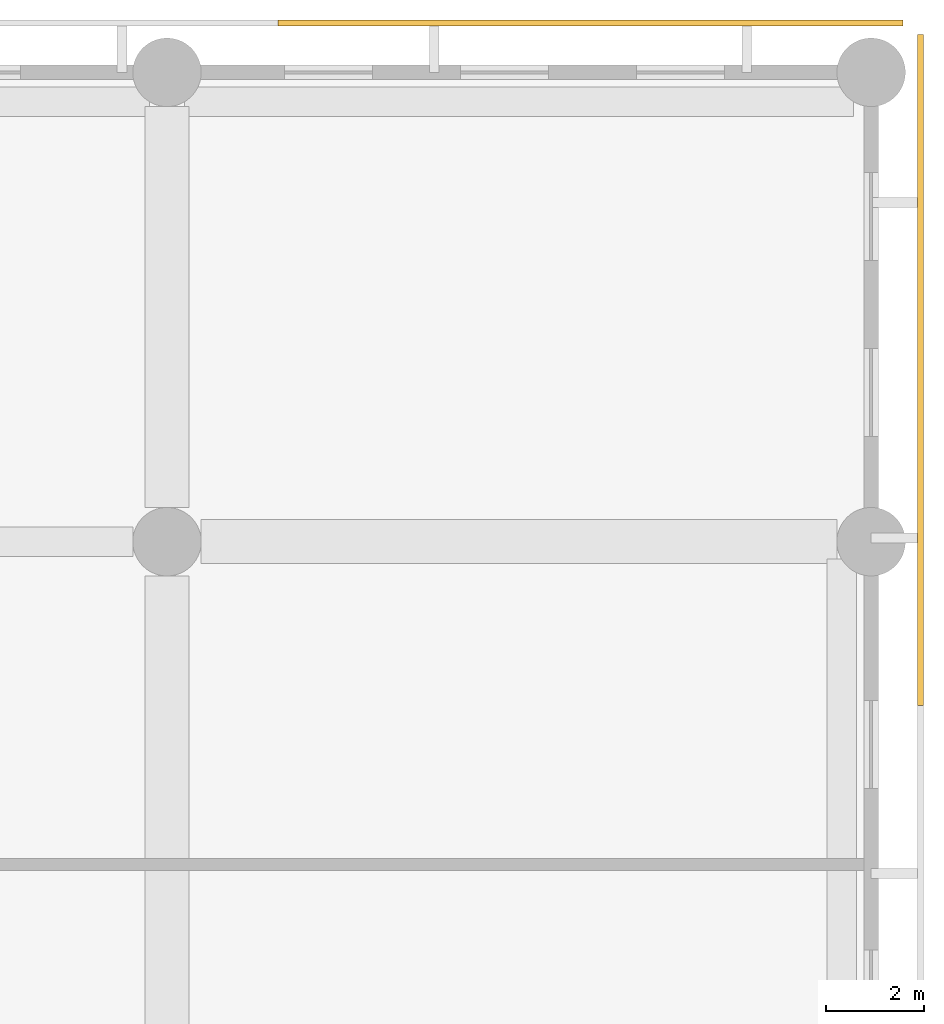
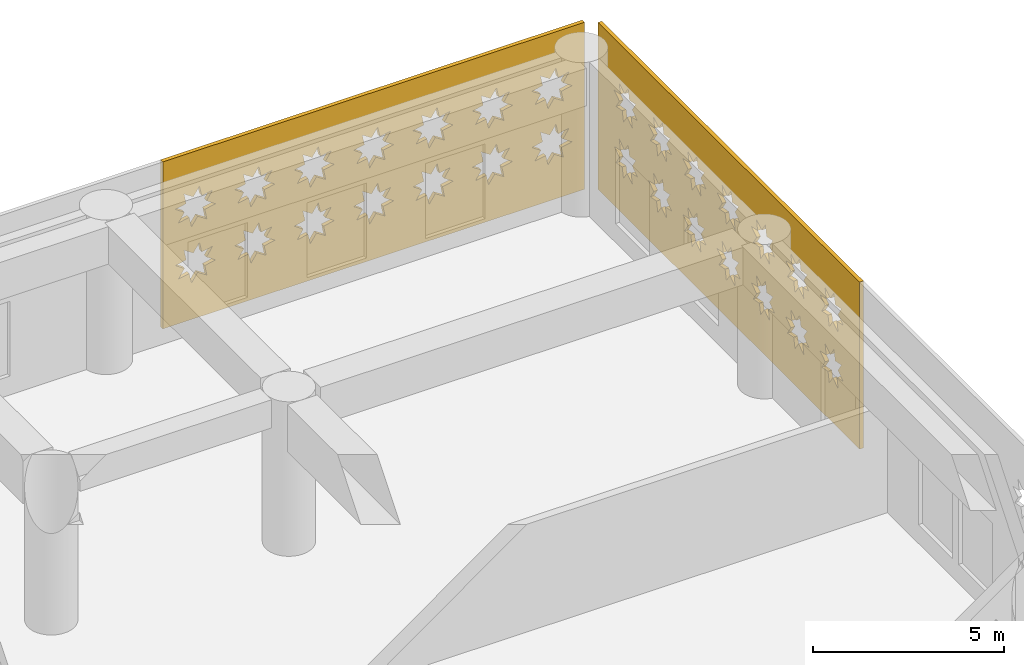
# One storey, part 24 of 24: 2 coverings.
"""IFC4 building model written with IfcOpenShell, lengths in metres."""

from ifc_helpers import new_model, si_unit, direction, frame, origin, place, context, subcontext, project, spatial, polyline, outline, extrude, material, layer, layer_set, type_object, element, save


model = new_model("IFC4")

# Units and contexts
model_context = context("Model", 3, precision=1e-05, world=origin(), true_north=direction((0.0, 1.0)))
body_context = subcontext(model_context, "Body", "Model", "MODEL_VIEW")
ifc_project = project(units=[si_unit("LENGTHUNIT", "METRE"), si_unit("AREAUNIT", "SQUARE_METRE"), si_unit("VOLUMEUNIT", "CUBIC_METRE"), si_unit("PLANEANGLEUNIT", "RADIAN"), si_unit("MASSUNIT", "GRAM", prefix="KILO")], contexts=[model_context])

# Site, building, storey
site_placement = place(None, origin())
site = spatial("IfcSite", under=ifc_project, at=site_placement, CompositionType="ELEMENT")
building_placement = place(site_placement, origin())
building = spatial("IfcBuilding", under=site, at=building_placement, Name="Saffron Iwan Residences", CompositionType="ELEMENT")
storey_placement = place(building_placement, frame((0.0, 0.0, 21.60009765625)))
storey = spatial("IfcBuildingStorey", under=building, at=storey_placement, Name="L04", CompositionType="ELEMENT", Elevation=21.60009765625)

# Coverings
ifc_material = material(Name="Terracotta screen, precast concrete C40/50", Category="masonry")
ifc_layer = layer(ifc_material, 0.1201171875)
ifc_layer_set = layer_set([ifc_layer], Name="Terracotta screen, precast concrete C40/50")
covering_type = type_object("IfcCoveringType", Name="PODIUM SCREEN GIRIH", PredefinedType="CLADDING", material=ifc_layer_set)
covering_1_placement = place(storey_placement, frame((101.75, 73.446044921875, -0.400146484375), z_axis=(1.0, 0.0, 0.0), x_axis=(0.0, 1.0, 0.0)))
element("IfcCovering", 1, at=covering_1_placement, inside=storey, type_object=covering_type, Name="SCREEN girih terracotta L04 F1.4", PredefinedType="CLADDING", context=body_context, shape_type="SweptSolid", body=[
    extrude(outline(polyline([(0.0, 0.0), (13.72412109375, 0.0), (13.72412109375, 5.35009765625), (0.0, 5.35009765625), (0.0, 0.0)]), holes=[polyline([(2.070068359375, 1.89599609375), (1.74462890625, 1.9638671875), (1.806396484375, 2.29052734375), (1.5283203125, 2.1083984375), (1.341064453125, 2.383056640625), (1.273193359375, 2.0576171875), (0.946533203125, 2.119384765625), (1.12841796875, 1.84130859375), (0.85400390625, 1.654052734375), (1.17919921875, 1.586181640625), (1.117431640625, 1.259521484375), (1.395751953125, 1.44140625), (1.5830078125, 1.1669921875), (1.65087890625, 1.4921875), (1.9775390625, 1.430419921875), (1.79541015625, 1.708740234375), (2.070068359375, 1.89599609375)]), polyline([(2.070068359375, 3.696044921875), (1.74462890625, 3.763916015625), (1.806396484375, 4.090576171875), (1.5283203125, 3.908447265625), (1.341064453125, 4.18310546875), (1.273193359375, 3.857666015625), (0.946533203125, 3.91943359375), (1.12841796875, 3.641357421875), (0.85400390625, 3.4541015625), (1.17919921875, 3.385986328125), (1.117431640625, 3.0595703125), (1.395751953125, 3.241455078125), (1.5830078125, 2.966796875), (1.65087890625, 3.292236328125), (1.9775390625, 3.23046875), (1.79541015625, 3.5087890625), (2.070068359375, 3.696044921875)]), polyline([(3.8701171875, 1.89599609375), (3.544677734375, 1.9638671875), (3.6064453125, 2.29052734375), (3.328369140625, 2.1083984375), (3.14111328125, 2.383056640625), (3.072998046875, 2.0576171875), (2.74658203125, 2.119384765625), (2.928466796875, 1.84130859375), (2.65380859375, 1.654052734375), (2.979248046875, 1.586181640625), (2.91748046875, 1.259521484375), (3.19580078125, 1.44140625), (3.383056640625, 1.1669921875), (3.450927734375, 1.4921875), (3.777587890625, 1.430419921875), (3.595458984375, 1.708740234375), (3.8701171875, 1.89599609375)]), polyline([(3.8701171875, 3.696044921875), (3.544677734375, 3.763916015625), (3.6064453125, 4.090576171875), (3.328369140625, 3.908447265625), (3.14111328125, 4.18310546875), (3.072998046875, 3.857666015625), (2.74658203125, 3.91943359375), (2.928466796875, 3.641357421875), (2.65380859375, 3.4541015625), (2.979248046875, 3.385986328125), (2.91748046875, 3.0595703125), (3.19580078125, 3.241455078125), (3.383056640625, 2.966796875), (3.450927734375, 3.292236328125), (3.777587890625, 3.23046875), (3.595458984375, 3.5087890625), (3.8701171875, 3.696044921875)]), polyline([(5.670166015625, 1.89599609375), (5.3447265625, 1.9638671875), (5.406494140625, 2.29052734375), (5.12841796875, 2.1083984375), (4.94091796875, 2.383056640625), (4.873046875, 2.0576171875), (4.54638671875, 2.119384765625), (4.728515625, 1.84130859375), (4.453857421875, 1.654052734375), (4.779296875, 1.586181640625), (4.717529296875, 1.259521484375), (4.99560546875, 1.44140625), (5.18310546875, 1.1669921875), (5.2509765625, 1.4921875), (5.577392578125, 1.430419921875), (5.3955078125, 1.708740234375), (5.670166015625, 1.89599609375)]), polyline([(5.670166015625, 3.696044921875), (5.3447265625, 3.763916015625), (5.406494140625, 4.090576171875), (5.12841796875, 3.908447265625), (4.94091796875, 4.18310546875), (4.873046875, 3.857666015625), (4.54638671875, 3.91943359375), (4.728515625, 3.641357421875), (4.453857421875, 3.4541015625), (4.779296875, 3.385986328125), (4.717529296875, 3.0595703125), (4.99560546875, 3.241455078125), (5.18310546875, 2.966796875), (5.2509765625, 3.292236328125), (5.577392578125, 3.23046875), (5.3955078125, 3.5087890625), (5.670166015625, 3.696044921875)]), polyline([(7.47021484375, 1.89599609375), (7.144775390625, 1.9638671875), (7.20654296875, 2.29052734375), (6.92822265625, 2.1083984375), (6.740966796875, 2.383056640625), (6.673095703125, 2.0576171875), (6.346435546875, 2.119384765625), (6.528564453125, 1.84130859375), (6.25390625, 1.654052734375), (6.579345703125, 1.586181640625), (6.517578125, 1.259521484375), (6.795654296875, 1.44140625), (6.98291015625, 1.1669921875), (7.05078125, 1.4921875), (7.37744140625, 1.430419921875), (7.195556640625, 1.708740234375), (7.47021484375, 1.89599609375)]), polyline([(7.47021484375, 3.696044921875), (7.144775390625, 3.763916015625), (7.20654296875, 4.090576171875), (6.92822265625, 3.908447265625), (6.740966796875, 4.18310546875), (6.673095703125, 3.857666015625), (6.346435546875, 3.91943359375), (6.528564453125, 3.641357421875), (6.25390625, 3.4541015625), (6.579345703125, 3.385986328125), (6.517578125, 3.0595703125), (6.795654296875, 3.241455078125), (6.98291015625, 2.966796875), (7.05078125, 3.292236328125), (7.37744140625, 3.23046875), (7.195556640625, 3.5087890625), (7.47021484375, 3.696044921875)]), polyline([(9.27001953125, 1.89599609375), (8.944580078125, 1.9638671875), (9.006591796875, 2.29052734375), (8.728271484375, 2.1083984375), (8.541015625, 2.383056640625), (8.47314453125, 2.0576171875), (8.146484375, 2.119384765625), (8.32861328125, 1.84130859375), (8.053955078125, 1.654052734375), (8.37939453125, 1.586181640625), (8.3173828125, 1.259521484375), (8.595703125, 1.44140625), (8.782958984375, 1.1669921875), (8.850830078125, 1.4921875), (9.177490234375, 1.430419921875), (8.99560546875, 1.708740234375), (9.27001953125, 1.89599609375)]), polyline([(9.27001953125, 3.696044921875), (8.944580078125, 3.763916015625), (9.006591796875, 4.090576171875), (8.728271484375, 3.908447265625), (8.541015625, 4.18310546875), (8.47314453125, 3.857666015625), (8.146484375, 3.91943359375), (8.32861328125, 3.641357421875), (8.053955078125, 3.4541015625), (8.37939453125, 3.385986328125), (8.3173828125, 3.0595703125), (8.595703125, 3.241455078125), (8.782958984375, 2.966796875), (8.850830078125, 3.292236328125), (9.177490234375, 3.23046875), (8.99560546875, 3.5087890625), (9.27001953125, 3.696044921875)]), polyline([(11.070068359375, 1.89599609375), (10.74462890625, 1.9638671875), (10.806396484375, 2.29052734375), (10.5283203125, 2.1083984375), (10.341064453125, 2.383056640625), (10.273193359375, 2.0576171875), (9.946533203125, 2.119384765625), (10.12841796875, 1.84130859375), (9.85400390625, 1.654052734375), (10.17919921875, 1.586181640625), (10.117431640625, 1.259521484375), (10.395751953125, 1.44140625), (10.5830078125, 1.1669921875), (10.65087890625, 1.4921875), (10.9775390625, 1.430419921875), (10.79541015625, 1.708740234375), (11.070068359375, 1.89599609375)]), polyline([(11.070068359375, 3.696044921875), (10.74462890625, 3.763916015625), (10.806396484375, 4.090576171875), (10.5283203125, 3.908447265625), (10.341064453125, 4.18310546875), (10.273193359375, 3.857666015625), (9.946533203125, 3.91943359375), (10.12841796875, 3.641357421875), (9.85400390625, 3.4541015625), (10.17919921875, 3.385986328125), (10.117431640625, 3.0595703125), (10.395751953125, 3.241455078125), (10.5830078125, 2.966796875), (10.65087890625, 3.292236328125), (10.9775390625, 3.23046875), (10.79541015625, 3.5087890625), (11.070068359375, 3.696044921875)]), polyline([(12.8701171875, 1.89599609375), (12.544677734375, 1.9638671875), (12.6064453125, 2.29052734375), (12.328369140625, 2.1083984375), (12.14111328125, 2.383056640625), (12.072998046875, 2.0576171875), (11.74658203125, 2.119384765625), (11.928466796875, 1.84130859375), (11.65380859375, 1.654052734375), (11.979248046875, 1.586181640625), (11.91748046875, 1.259521484375), (12.19580078125, 1.44140625), (12.383056640625, 1.1669921875), (12.450927734375, 1.4921875), (12.777587890625, 1.430419921875), (12.595458984375, 1.708740234375), (12.8701171875, 1.89599609375)]), polyline([(12.8701171875, 3.696044921875), (12.544677734375, 3.763916015625), (12.6064453125, 4.090576171875), (12.328369140625, 3.908447265625), (12.14111328125, 4.18310546875), (12.072998046875, 3.857666015625), (11.74658203125, 3.91943359375), (11.928466796875, 3.641357421875), (11.65380859375, 3.4541015625), (11.979248046875, 3.385986328125), (11.91748046875, 3.0595703125), (12.19580078125, 3.241455078125), (12.383056640625, 2.966796875), (12.450927734375, 3.292236328125), (12.777587890625, 3.23046875), (12.595458984375, 3.5087890625), (12.8701171875, 3.696044921875)])]), origin(), (0.0, 0.0, 1.0), 0.1201171875),
])
covering_2_placement = place(storey_placement, frame((101.449951171875, 87.35009765625, -0.400146484375), z_axis=(0.0, 1.0, 0.0), x_axis=(-1.0, 0.0, 0.0)))
element("IfcCovering", 2, at=covering_2_placement, inside=storey, type_object=covering_type, Name="SCREEN girih terracotta L04 F2.0", PredefinedType="CLADDING", context=body_context, shape_type="SweptSolid", body=[
    extrude(outline(polyline([(0.0, 0.0), (12.777587890625, 0.0), (12.777587890625, 5.35009765625), (0.0, 5.35009765625), (0.0, 0.0)]), holes=[polyline([(1.5966796875, 1.89599609375), (1.271484375, 1.9638671875), (1.333251953125, 2.29052734375), (1.05517578125, 2.1083984375), (0.867919921875, 2.383056640625), (0.7998046875, 2.0576171875), (0.47314453125, 2.119384765625), (0.6552734375, 1.84130859375), (0.380615234375, 1.654052734375), (0.7060546875, 1.586181640625), (0.644287109375, 1.259521484375), (0.92236328125, 1.44140625), (1.109619140625, 1.1669921875), (1.177490234375, 1.4921875), (1.50439453125, 1.430419921875), (1.322265625, 1.708740234375), (1.5966796875, 1.89599609375)]), polyline([(1.5966796875, 3.696044921875), (1.271484375, 3.763916015625), (1.333251953125, 4.090576171875), (1.05517578125, 3.908447265625), (0.867919921875, 4.18310546875), (0.7998046875, 3.857666015625), (0.47314453125, 3.91943359375), (0.6552734375, 3.641357421875), (0.380615234375, 3.4541015625), (0.7060546875, 3.385986328125), (0.644287109375, 3.0595703125), (0.92236328125, 3.241455078125), (1.109619140625, 2.966796875), (1.177490234375, 3.292236328125), (1.50439453125, 3.23046875), (1.322265625, 3.5087890625), (1.5966796875, 3.696044921875)]), polyline([(3.396728515625, 1.89599609375), (3.0712890625, 1.9638671875), (3.13330078125, 2.29052734375), (2.85498046875, 2.1083984375), (2.667724609375, 2.383056640625), (2.599853515625, 2.0576171875), (2.273193359375, 2.119384765625), (2.455322265625, 1.84130859375), (2.1806640625, 1.654052734375), (2.506103515625, 1.586181640625), (2.4443359375, 1.259521484375), (2.722412109375, 1.44140625), (2.90966796875, 1.1669921875), (2.9775390625, 1.4921875), (3.30419921875, 1.430419921875), (3.122314453125, 1.708740234375), (3.396728515625, 1.89599609375)]), polyline([(3.396728515625, 3.696044921875), (3.0712890625, 3.763916015625), (3.13330078125, 4.090576171875), (2.85498046875, 3.908447265625), (2.667724609375, 4.18310546875), (2.599853515625, 3.857666015625), (2.273193359375, 3.91943359375), (2.455322265625, 3.641357421875), (2.1806640625, 3.4541015625), (2.506103515625, 3.385986328125), (2.4443359375, 3.0595703125), (2.722412109375, 3.241455078125), (2.90966796875, 2.966796875), (2.9775390625, 3.292236328125), (3.30419921875, 3.23046875), (3.122314453125, 3.5087890625), (3.396728515625, 3.696044921875)]), polyline([(5.19677734375, 1.89599609375), (4.871337890625, 1.9638671875), (4.93310546875, 2.29052734375), (4.655029296875, 2.1083984375), (4.4677734375, 2.383056640625), (4.39990234375, 2.0576171875), (4.0732421875, 2.119384765625), (4.25537109375, 1.84130859375), (3.980712890625, 1.654052734375), (4.30615234375, 1.586181640625), (4.244384765625, 1.259521484375), (4.5224609375, 1.44140625), (4.709716796875, 1.1669921875), (4.777587890625, 1.4921875), (5.104248046875, 1.430419921875), (4.922119140625, 1.708740234375), (5.19677734375, 1.89599609375)]), polyline([(5.19677734375, 3.696044921875), (4.871337890625, 3.763916015625), (4.93310546875, 4.090576171875), (4.655029296875, 3.908447265625), (4.4677734375, 4.18310546875), (4.39990234375, 3.857666015625), (4.0732421875, 3.91943359375), (4.25537109375, 3.641357421875), (3.980712890625, 3.4541015625), (4.30615234375, 3.385986328125), (4.244384765625, 3.0595703125), (4.5224609375, 3.241455078125), (4.709716796875, 2.966796875), (4.777587890625, 3.292236328125), (5.104248046875, 3.23046875), (4.922119140625, 3.5087890625), (5.19677734375, 3.696044921875)]), polyline([(6.996826171875, 1.89599609375), (6.67138671875, 1.9638671875), (6.733154296875, 2.29052734375), (6.455078125, 2.1083984375), (6.267822265625, 2.383056640625), (6.199951171875, 2.0576171875), (5.873291015625, 2.119384765625), (6.055419921875, 1.84130859375), (5.78076171875, 1.654052734375), (6.106201171875, 1.586181640625), (6.044189453125, 1.259521484375), (6.322509765625, 1.44140625), (6.509765625, 1.1669921875), (6.57763671875, 1.4921875), (6.904296875, 1.430419921875), (6.72216796875, 1.708740234375), (6.996826171875, 1.89599609375)]), polyline([(6.996826171875, 3.696044921875), (6.67138671875, 3.763916015625), (6.733154296875, 4.090576171875), (6.455078125, 3.908447265625), (6.267822265625, 4.18310546875), (6.199951171875, 3.857666015625), (5.873291015625, 3.91943359375), (6.055419921875, 3.641357421875), (5.78076171875, 3.4541015625), (6.106201171875, 3.385986328125), (6.044189453125, 3.0595703125), (6.322509765625, 3.241455078125), (6.509765625, 2.966796875), (6.57763671875, 3.292236328125), (6.904296875, 3.23046875), (6.72216796875, 3.5087890625), (6.996826171875, 3.696044921875)]), polyline([(8.796875, 1.89599609375), (8.471435546875, 1.9638671875), (8.533203125, 2.29052734375), (8.255126953125, 2.1083984375), (8.06787109375, 2.383056640625), (8.0, 2.0576171875), (7.673095703125, 2.119384765625), (7.855224609375, 1.84130859375), (7.580810546875, 1.654052734375), (7.906005859375, 1.586181640625), (7.84423828125, 1.259521484375), (8.122314453125, 1.44140625), (8.309814453125, 1.1669921875), (8.377685546875, 1.4921875), (8.704345703125, 1.430419921875), (8.522216796875, 1.708740234375), (8.796875, 1.89599609375)]), polyline([(8.796875, 3.696044921875), (8.471435546875, 3.763916015625), (8.533203125, 4.090576171875), (8.255126953125, 3.908447265625), (8.06787109375, 4.18310546875), (8.0, 3.857666015625), (7.673095703125, 3.91943359375), (7.855224609375, 3.641357421875), (7.580810546875, 3.4541015625), (7.906005859375, 3.385986328125), (7.84423828125, 3.0595703125), (8.122314453125, 3.241455078125), (8.309814453125, 2.966796875), (8.377685546875, 3.292236328125), (8.704345703125, 3.23046875), (8.522216796875, 3.5087890625), (8.796875, 3.696044921875)]), polyline([(10.5966796875, 1.89599609375), (10.271484375, 1.9638671875), (10.333251953125, 2.29052734375), (10.05517578125, 2.1083984375), (9.867919921875, 2.383056640625), (9.7998046875, 2.0576171875), (9.47314453125, 2.119384765625), (9.6552734375, 1.84130859375), (9.380615234375, 1.654052734375), (9.7060546875, 1.586181640625), (9.644287109375, 1.259521484375), (9.92236328125, 1.44140625), (10.109619140625, 1.1669921875), (10.177490234375, 1.4921875), (10.50439453125, 1.430419921875), (10.322265625, 1.708740234375), (10.5966796875, 1.89599609375)]), polyline([(10.5966796875, 3.696044921875), (10.271484375, 3.763916015625), (10.333251953125, 4.090576171875), (10.05517578125, 3.908447265625), (9.867919921875, 4.18310546875), (9.7998046875, 3.857666015625), (9.47314453125, 3.91943359375), (9.6552734375, 3.641357421875), (9.380615234375, 3.4541015625), (9.7060546875, 3.385986328125), (9.644287109375, 3.0595703125), (9.92236328125, 3.241455078125), (10.109619140625, 2.966796875), (10.177490234375, 3.292236328125), (10.50439453125, 3.23046875), (10.322265625, 3.5087890625), (10.5966796875, 3.696044921875)]), polyline([(12.396728515625, 1.89599609375), (12.0712890625, 1.9638671875), (12.13330078125, 2.29052734375), (11.85498046875, 2.1083984375), (11.667724609375, 2.383056640625), (11.599853515625, 2.0576171875), (11.273193359375, 2.119384765625), (11.455322265625, 1.84130859375), (11.1806640625, 1.654052734375), (11.506103515625, 1.586181640625), (11.4443359375, 1.259521484375), (11.722412109375, 1.44140625), (11.90966796875, 1.1669921875), (11.9775390625, 1.4921875), (12.30419921875, 1.430419921875), (12.122314453125, 1.708740234375), (12.396728515625, 1.89599609375)]), polyline([(12.396728515625, 3.696044921875), (12.0712890625, 3.763916015625), (12.13330078125, 4.090576171875), (11.85498046875, 3.908447265625), (11.667724609375, 4.18310546875), (11.599853515625, 3.857666015625), (11.273193359375, 3.91943359375), (11.455322265625, 3.641357421875), (11.1806640625, 3.4541015625), (11.506103515625, 3.385986328125), (11.4443359375, 3.0595703125), (11.722412109375, 3.241455078125), (11.90966796875, 2.966796875), (11.9775390625, 3.292236328125), (12.30419921875, 3.23046875), (12.122314453125, 3.5087890625), (12.396728515625, 3.696044921875)])]), origin(), (0.0, 0.0, 1.0), 0.119873046875),
])

save(model, "model.ifc")
